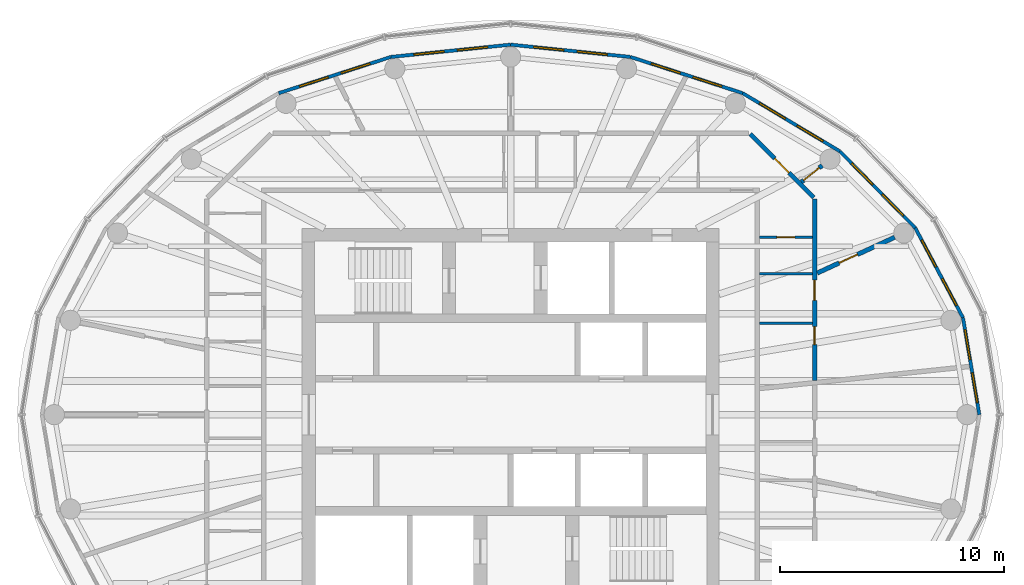
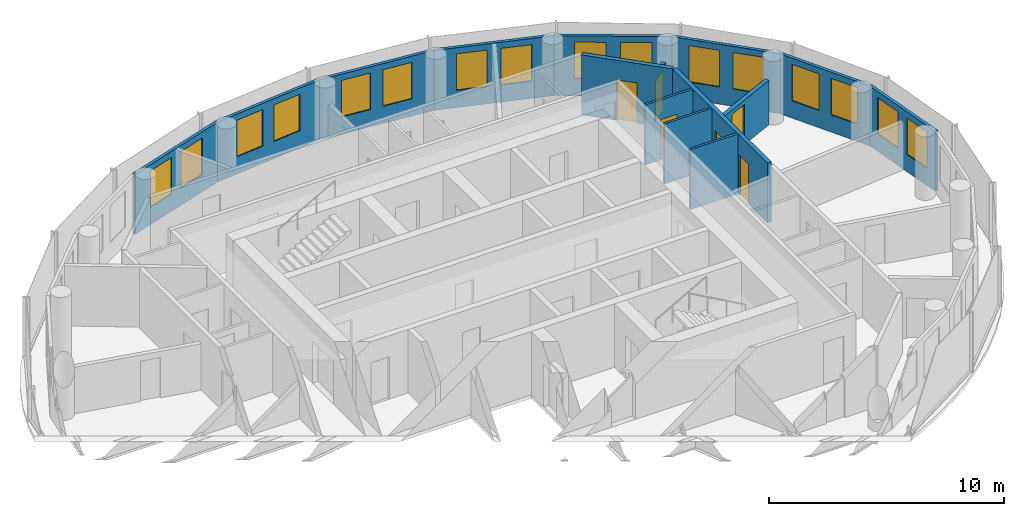
# One storey, part 9 of 11: 16 windows, 15 walls, 6 doors, 22 openings.
"""IFC4 building model written with IfcOpenShell, lengths in metres."""

from ifc_helpers import new_model, si_unit, direction, frame, frame_2d, origin, place, context, subcontext, project, spatial, rectangle, extrude, material, layer, layer_set, type_object, element, fill, save


model = new_model("IFC4")

# Units and contexts
model_context = context("Model", 3, precision=1e-05, world=origin(), true_north=direction((0.0, 1.0)))
body_context = subcontext(model_context, "Body", "Model", "MODEL_VIEW")
ifc_project = project(units=[si_unit("LENGTHUNIT", "METRE"), si_unit("AREAUNIT", "SQUARE_METRE"), si_unit("VOLUMEUNIT", "CUBIC_METRE"), si_unit("PLANEANGLEUNIT", "RADIAN"), si_unit("MASSUNIT", "GRAM", prefix="KILO")], contexts=[model_context])

# Site, building, storey
site_placement = place(None, origin())
site = spatial("IfcSite", under=ifc_project, at=site_placement, CompositionType="ELEMENT")
building_placement = place(site_placement, origin())
building = spatial("IfcBuilding", under=site, at=building_placement, Name="Hankou Lantern Tower", CompositionType="ELEMENT")
storey_placement = place(building_placement, frame((0.0, 0.0, 209.39990234375)))
storey = spatial("IfcBuildingStorey", under=building, at=storey_placement, Name="L56", CompositionType="ELEMENT", Elevation=209.39990234375)

# Wall, openings, windows
ifc_material_1 = material(Name="Aluminium spandrel panel on steel studs", Category="steel")
ifc_layer_1 = layer(ifc_material_1, 0.14990234375)
ifc_layer_set_1 = layer_set([ifc_layer_1], Name="Aluminium spandrel panel on steel studs")
wall_type_1 = type_object("IfcWallType", Name="EW1 INNER SKIN WALL 150", PredefinedType="ELEMENTEDWALL", material=ifc_layer_set_1)
wall_1_placement = place(storey_placement, frame((20.89990234375, 0.0, 0.0), z_axis=(0.0, 0.0, 1.0), x_axis=(-0.166538513568, 0.986034950445, 0.0)))
wall_1 = element("IfcWall", 1, at=wall_1_placement, inside=storey, type_object=wall_type_1, Name="Inner skin R01-R02 L56", PredefinedType="ELEMENTEDWALL", context=body_context, shape_type="SweptSolid", body=[
    extrude(rectangle(XDim=4.384765625, YDim=0.14990234375, at=frame_2d((2.1923828125, 0.0))), origin(), (0.0, 0.0, 1.0), 3.1201171875),
])
opening_1_placement = place(wall_1_placement, frame((0.54248046875, 0.0, 0.89990234375)))
opening_1 = element("IfcOpeningElement", 2, at=opening_1_placement, cuts=wall_1, Name="Opening W4", PredefinedType="OPENING", context=body_context, shape_type="SweptSolid", body=[
    extrude(rectangle(XDim=1.35009765625, YDim=1.89990234375, at=frame_2d((0.675048828125, 0.949951171875))), frame((0.0, 0.0849609375, 0.0), z_axis=(0.0, -1.0, 0.0), x_axis=(1.0, 0.0, 0.0)), (0.0, 0.0, 1.0), 0.169921875),
])
opening_2_placement = place(wall_1_placement, frame((2.492431640625, 0.0, 0.89990234375)))
opening_2 = element("IfcOpeningElement", 3, at=opening_2_placement, cuts=wall_1, Name="Opening W4", PredefinedType="OPENING", context=body_context, shape_type="SweptSolid", body=[
    extrude(rectangle(XDim=1.35009765625, YDim=1.89990234375, at=frame_2d((0.675048828125, 0.949951171875))), frame((0.0, 0.0849609375, 0.0), z_axis=(0.0, -1.0, 0.0), x_axis=(1.0, 0.0, 0.0)), (0.0, 0.0, 1.0), 0.169921875),
])
ifc_material_2 = material(Name="Aluminium framed double glazed window", Category="aluminium")
window_type = type_object("IfcWindowType", Name="W4 SUITE WINDOW 1350X1900", PartitioningType="DOUBLE_PANEL_VERTICAL", PredefinedType="WINDOW", material=ifc_material_2)
window_1_placement = place(opening_1_placement, origin())
window_1 = element("IfcWindow", 4, at=window_1_placement, inside=storey, type_object=window_type, Name="Window R01.1 L56", OverallHeight=1.89990234375, OverallWidth=1.35009765625, PartitioningType="SINGLE_PANEL", PredefinedType="WINDOW", context=body_context, shape_type="SweptSolid", body=[
    extrude(rectangle(XDim=1.35009765625, YDim=1.89990234375, at=frame_2d((0.675048828125, 0.949951171875))), frame((0.0, 0.030029296875, 0.0), z_axis=(0.0, -1.0, 0.0), x_axis=(1.0, 0.0, 0.0)), (0.0, 0.0, 1.0), 0.06005859375),
])
fill(opening_1, window_1)
window_2_placement = place(opening_2_placement, origin())
window_2 = element("IfcWindow", 5, at=window_2_placement, inside=storey, type_object=window_type, Name="Window R01.2 L56", OverallHeight=1.89990234375, OverallWidth=1.35009765625, PartitioningType="SINGLE_PANEL", PredefinedType="WINDOW", context=body_context, shape_type="SweptSolid", body=[
    extrude(rectangle(XDim=1.35009765625, YDim=1.89990234375, at=frame_2d((0.675048828125, 0.949951171875))), frame((0.0, 0.030029296875, 0.0), z_axis=(0.0, -1.0, 0.0), x_axis=(1.0, 0.0, 0.0)), (0.0, 0.0, 1.0), 0.06005859375),
])
fill(opening_2, window_2)

wall_2_placement = place(storey_placement, frame((20.169677734375, 4.323486328125, 0.0), z_axis=(0.0, 0.0, 1.0), x_axis=(-0.469256152955, 0.883062094597, 0.0)))
wall_2 = element("IfcWall", 6, at=wall_2_placement, inside=storey, type_object=wall_type_1, Name="Inner skin R02-R03 L56", PredefinedType="ELEMENTEDWALL", context=body_context, shape_type="SweptSolid", body=[
    extrude(rectangle(XDim=4.539306640625, YDim=0.14990234375, at=frame_2d((2.26953125, 0.0))), origin(), (0.0, 0.0, 1.0), 3.1201171875),
])
opening_3_placement = place(wall_2_placement, frame((0.61962890625, 0.0, 0.89990234375)))
opening_3 = element("IfcOpeningElement", 7, at=opening_3_placement, cuts=wall_2, Name="Opening W4", PredefinedType="OPENING", context=body_context, shape_type="SweptSolid", body=[
    extrude(rectangle(XDim=1.35009765625, YDim=1.89990234375, at=frame_2d((0.675048828125, 0.949951171875))), frame((0.0, 0.0849609375, 0.0), z_axis=(0.0, -1.0, 0.0), x_axis=(1.0, 0.0, 0.0)), (0.0, 0.0, 1.0), 0.169921875),
])
opening_4_placement = place(wall_2_placement, frame((2.569580078125, 0.0, 0.89990234375)))
opening_4 = element("IfcOpeningElement", 8, at=opening_4_placement, cuts=wall_2, Name="Opening W4", PredefinedType="OPENING", context=body_context, shape_type="SweptSolid", body=[
    extrude(rectangle(XDim=1.35009765625, YDim=1.89990234375, at=frame_2d((0.675048828125, 0.949951171875))), frame((0.0, 0.0849609375, 0.0), z_axis=(0.0, -1.0, 0.0), x_axis=(1.0, 0.0, 0.0)), (0.0, 0.0, 1.0), 0.169921875),
])
window_3_placement = place(opening_3_placement, origin())
window_3 = element("IfcWindow", 9, at=window_3_placement, inside=storey, type_object=window_type, Name="Window R02.1 L56", OverallHeight=1.89990234375, OverallWidth=1.35009765625, PartitioningType="SINGLE_PANEL", PredefinedType="WINDOW", context=body_context, shape_type="SweptSolid", body=[
    extrude(rectangle(XDim=1.35009765625, YDim=1.89990234375, at=frame_2d((0.675048828125, 0.949951171875))), frame((0.0, 0.030029296875, 0.0), z_axis=(0.0, -1.0, 0.0), x_axis=(1.0, 0.0, 0.0)), (0.0, 0.0, 1.0), 0.06005859375),
])
fill(opening_3, window_3)
window_4_placement = place(opening_4_placement, origin())
window_4 = element("IfcWindow", 10, at=window_4_placement, inside=storey, type_object=window_type, Name="Window R02.2 L56", OverallHeight=1.89990234375, OverallWidth=1.35009765625, PartitioningType="SINGLE_PANEL", PredefinedType="WINDOW", context=body_context, shape_type="SweptSolid", body=[
    extrude(rectangle(XDim=1.35009765625, YDim=1.89990234375, at=frame_2d((0.675048828125, 0.949951171875))), frame((0.0, 0.030029296875, 0.0), z_axis=(0.0, -1.0, 0.0), x_axis=(1.0, 0.0, 0.0)), (0.0, 0.0, 1.0), 0.06005859375),
])
fill(opening_4, window_4)

wall_3_placement = place(storey_placement, frame((18.03955078125, 8.33203125, 0.0), z_axis=(0.0, 0.0, 1.0), x_axis=(-0.701527379618, 0.712642501993, 0.0)))
wall_3 = element("IfcWall", 11, at=wall_3_placement, inside=storey, type_object=wall_type_1, Name="Inner skin R03-R04 L56", PredefinedType="ELEMENTEDWALL", context=body_context, shape_type="SweptSolid", body=[
    extrude(rectangle(XDim=4.788330078125, YDim=0.14990234375, at=frame_2d((2.39404296875, 0.0))), origin(), (0.0, 0.0, 1.0), 3.1201171875),
])
opening_5_placement = place(wall_3_placement, frame((0.744140625, 0.0, 0.89990234375)))
opening_5 = element("IfcOpeningElement", 12, at=opening_5_placement, cuts=wall_3, Name="Opening W4", PredefinedType="OPENING", context=body_context, shape_type="SweptSolid", body=[
    extrude(rectangle(XDim=1.35009765625, YDim=1.89990234375, at=frame_2d((0.675048828125, 0.949951171875))), frame((0.0, 0.0849609375, 0.0), z_axis=(0.0, -1.0, 0.0), x_axis=(1.0, 0.0, 0.0)), (0.0, 0.0, 1.0), 0.169921875),
])
opening_6_placement = place(wall_3_placement, frame((2.694091796875, 0.0, 0.89990234375)))
opening_6 = element("IfcOpeningElement", 13, at=opening_6_placement, cuts=wall_3, Name="Opening W4", PredefinedType="OPENING", context=body_context, shape_type="SweptSolid", body=[
    extrude(rectangle(XDim=1.35009765625, YDim=1.89990234375, at=frame_2d((0.675048828125, 0.949951171875))), frame((0.0, 0.0849609375, 0.0), z_axis=(0.0, -1.0, 0.0), x_axis=(1.0, 0.0, 0.0)), (0.0, 0.0, 1.0), 0.169921875),
])
window_5_placement = place(opening_5_placement, origin())
window_5 = element("IfcWindow", 14, at=window_5_placement, inside=storey, type_object=window_type, Name="Window R03.1 L56", OverallHeight=1.89990234375, OverallWidth=1.35009765625, PartitioningType="SINGLE_PANEL", PredefinedType="WINDOW", context=body_context, shape_type="SweptSolid", body=[
    extrude(rectangle(XDim=1.35009765625, YDim=1.89990234375, at=frame_2d((0.675048828125, 0.949951171875))), frame((0.0, 0.030029296875, 0.0), z_axis=(0.0, -1.0, 0.0), x_axis=(1.0, 0.0, 0.0)), (0.0, 0.0, 1.0), 0.06005859375),
])
fill(opening_5, window_5)
window_6_placement = place(opening_6_placement, origin())
window_6 = element("IfcWindow", 15, at=window_6_placement, inside=storey, type_object=window_type, Name="Window R03.2 L56", OverallHeight=1.89990234375, OverallWidth=1.35009765625, PartitioningType="SINGLE_PANEL", PredefinedType="WINDOW", context=body_context, shape_type="SweptSolid", body=[
    extrude(rectangle(XDim=1.35009765625, YDim=1.89990234375, at=frame_2d((0.675048828125, 0.949951171875))), frame((0.0, 0.030029296875, 0.0), z_axis=(0.0, -1.0, 0.0), x_axis=(1.0, 0.0, 0.0)), (0.0, 0.0, 1.0), 0.06005859375),
])
fill(opening_6, window_6)

wall_4_placement = place(storey_placement, frame((14.680419921875, 11.744384765625, 0.0), z_axis=(0.0, 0.0, 1.0), x_axis=(-0.85822150553, 0.513279502265, 0.0)))
wall_4 = element("IfcWall", 16, at=wall_4_placement, inside=storey, type_object=wall_type_1, Name="Inner skin R04-R05 L56", PredefinedType="ELEMENTEDWALL", context=body_context, shape_type="SweptSolid", body=[
    extrude(rectangle(XDim=5.050048828125, YDim=0.14990234375, at=frame_2d((2.52490234375, 0.0))), origin(), (0.0, 0.0, 1.0), 3.1201171875),
])
opening_7_placement = place(wall_4_placement, frame((0.875, 0.0, 0.89990234375)))
opening_7 = element("IfcOpeningElement", 17, at=opening_7_placement, cuts=wall_4, Name="Opening W4", PredefinedType="OPENING", context=body_context, shape_type="SweptSolid", body=[
    extrude(rectangle(XDim=1.35009765625, YDim=1.89990234375, at=frame_2d((0.675048828125, 0.949951171875))), frame((0.0, 0.0849609375, 0.0), z_axis=(0.0, -1.0, 0.0), x_axis=(1.0, 0.0, 0.0)), (0.0, 0.0, 1.0), 0.169921875),
])
opening_8_placement = place(wall_4_placement, frame((2.824951171875, 0.0, 0.89990234375)))
opening_8 = element("IfcOpeningElement", 18, at=opening_8_placement, cuts=wall_4, Name="Opening W4", PredefinedType="OPENING", context=body_context, shape_type="SweptSolid", body=[
    extrude(rectangle(XDim=1.35009765625, YDim=1.89990234375, at=frame_2d((0.675048828125, 0.949951171875))), frame((0.0, 0.0849609375, 0.0), z_axis=(0.0, -1.0, 0.0), x_axis=(1.0, 0.0, 0.0)), (0.0, 0.0, 1.0), 0.169921875),
])
window_7_placement = place(opening_7_placement, origin())
window_7 = element("IfcWindow", 19, at=window_7_placement, inside=storey, type_object=window_type, Name="Window R04.1 L56", OverallHeight=1.89990234375, OverallWidth=1.35009765625, PartitioningType="SINGLE_PANEL", PredefinedType="WINDOW", context=body_context, shape_type="SweptSolid", body=[
    extrude(rectangle(XDim=1.35009765625, YDim=1.89990234375, at=frame_2d((0.675048828125, 0.949951171875))), frame((0.0, 0.030029296875, 0.0), z_axis=(0.0, -1.0, 0.0), x_axis=(1.0, 0.0, 0.0)), (0.0, 0.0, 1.0), 0.06005859375),
])
fill(opening_7, window_7)
window_8_placement = place(opening_8_placement, origin())
window_8 = element("IfcWindow", 20, at=window_8_placement, inside=storey, type_object=window_type, Name="Window R04.2 L56", OverallHeight=1.89990234375, OverallWidth=1.35009765625, PartitioningType="SINGLE_PANEL", PredefinedType="WINDOW", context=body_context, shape_type="SweptSolid", body=[
    extrude(rectangle(XDim=1.35009765625, YDim=1.89990234375, at=frame_2d((0.675048828125, 0.949951171875))), frame((0.0, 0.030029296875, 0.0), z_axis=(0.0, -1.0, 0.0), x_axis=(1.0, 0.0, 0.0)), (0.0, 0.0, 1.0), 0.06005859375),
])
fill(opening_8, window_8)

wall_5_placement = place(storey_placement, frame((10.346435546875, 14.33642578125, 0.0), z_axis=(0.0, 0.0, 1.0), x_axis=(-0.951644702515, 0.307200846638, 0.0)))
wall_5 = element("IfcWall", 21, at=wall_5_placement, inside=storey, type_object=wall_type_1, Name="Inner skin R05-R06 L56", PredefinedType="ELEMENTEDWALL", context=body_context, shape_type="SweptSolid", body=[
    extrude(rectangle(XDim=5.2578125, YDim=0.14990234375, at=frame_2d((2.62890625, 0.0))), origin(), (0.0, 0.0, 1.0), 3.1201171875),
])
opening_9_placement = place(wall_5_placement, frame((0.97900390625, 0.0, 0.89990234375)))
opening_9 = element("IfcOpeningElement", 22, at=opening_9_placement, cuts=wall_5, Name="Opening W4", PredefinedType="OPENING", context=body_context, shape_type="SweptSolid", body=[
    extrude(rectangle(XDim=1.35009765625, YDim=1.89990234375, at=frame_2d((0.675048828125, 0.949951171875))), frame((0.0, 0.0849609375, 0.0), z_axis=(0.0, -1.0, 0.0), x_axis=(1.0, 0.0, 0.0)), (0.0, 0.0, 1.0), 0.169921875),
])
opening_10_placement = place(wall_5_placement, frame((2.928955078125, 0.0, 0.89990234375)))
opening_10 = element("IfcOpeningElement", 23, at=opening_10_placement, cuts=wall_5, Name="Opening W4", PredefinedType="OPENING", context=body_context, shape_type="SweptSolid", body=[
    extrude(rectangle(XDim=1.35009765625, YDim=1.89990234375, at=frame_2d((0.675048828125, 0.949951171875))), frame((0.0, 0.0849609375, 0.0), z_axis=(0.0, -1.0, 0.0), x_axis=(1.0, 0.0, 0.0)), (0.0, 0.0, 1.0), 0.169921875),
])
window_9_placement = place(opening_9_placement, origin())
window_9 = element("IfcWindow", 24, at=window_9_placement, inside=storey, type_object=window_type, Name="Window R05.1 L56", OverallHeight=1.89990234375, OverallWidth=1.35009765625, PartitioningType="SINGLE_PANEL", PredefinedType="WINDOW", context=body_context, shape_type="SweptSolid", body=[
    extrude(rectangle(XDim=1.35009765625, YDim=1.89990234375, at=frame_2d((0.675048828125, 0.949951171875))), frame((0.0, 0.030029296875, 0.0), z_axis=(0.0, -1.0, 0.0), x_axis=(1.0, 0.0, 0.0)), (0.0, 0.0, 1.0), 0.06005859375),
])
fill(opening_9, window_9)
window_10_placement = place(opening_10_placement, origin())
window_10 = element("IfcWindow", 25, at=window_10_placement, inside=storey, type_object=window_type, Name="Window R05.2 L56", OverallHeight=1.89990234375, OverallWidth=1.35009765625, PartitioningType="SINGLE_PANEL", PredefinedType="WINDOW", context=body_context, shape_type="SweptSolid", body=[
    extrude(rectangle(XDim=1.35009765625, YDim=1.89990234375, at=frame_2d((0.675048828125, 0.949951171875))), frame((0.0, 0.030029296875, 0.0), z_axis=(0.0, -1.0, 0.0), x_axis=(1.0, 0.0, 0.0)), (0.0, 0.0, 1.0), 0.06005859375),
])
fill(opening_10, window_10)

wall_6_placement = place(storey_placement, frame((5.3427734375, 15.95166015625, 0.0), z_axis=(0.0, 0.0, 1.0), x_axis=(-0.994774574972, 0.102095763818, 0.0)))
wall_6 = element("IfcWall", 26, at=wall_6_placement, inside=storey, type_object=wall_type_1, Name="Inner skin R06-R07 L56", PredefinedType="ELEMENTEDWALL", context=body_context, shape_type="SweptSolid", body=[
    extrude(rectangle(XDim=5.370849609375, YDim=0.14990234375, at=frame_2d((2.685546875, 0.0))), origin(), (0.0, 0.0, 1.0), 3.1201171875),
])
opening_11_placement = place(wall_6_placement, frame((1.035400390625, 0.0, 0.89990234375)))
opening_11 = element("IfcOpeningElement", 27, at=opening_11_placement, cuts=wall_6, Name="Opening W4", PredefinedType="OPENING", context=body_context, shape_type="SweptSolid", body=[
    extrude(rectangle(XDim=1.35009765625, YDim=1.89990234375, at=frame_2d((0.675048828125, 0.949951171875))), frame((0.0, 0.0849609375, 0.0), z_axis=(0.0, -1.0, 0.0), x_axis=(1.0, 0.0, 0.0)), (0.0, 0.0, 1.0), 0.169921875),
])
opening_12_placement = place(wall_6_placement, frame((2.9853515625, 0.0, 0.89990234375)))
opening_12 = element("IfcOpeningElement", 28, at=opening_12_placement, cuts=wall_6, Name="Opening W4", PredefinedType="OPENING", context=body_context, shape_type="SweptSolid", body=[
    extrude(rectangle(XDim=1.35009765625, YDim=1.89990234375, at=frame_2d((0.675048828125, 0.949951171875))), frame((0.0, 0.0849609375, 0.0), z_axis=(0.0, -1.0, 0.0), x_axis=(1.0, 0.0, 0.0)), (0.0, 0.0, 1.0), 0.169921875),
])
window_11_placement = place(opening_11_placement, origin())
window_11 = element("IfcWindow", 29, at=window_11_placement, inside=storey, type_object=window_type, Name="Window R06.1 L56", OverallHeight=1.89990234375, OverallWidth=1.35009765625, PartitioningType="SINGLE_PANEL", PredefinedType="WINDOW", context=body_context, shape_type="SweptSolid", body=[
    extrude(rectangle(XDim=1.35009765625, YDim=1.89990234375, at=frame_2d((0.675048828125, 0.949951171875))), frame((0.0, 0.030029296875, 0.0), z_axis=(0.0, -1.0, 0.0), x_axis=(1.0, 0.0, 0.0)), (0.0, 0.0, 1.0), 0.06005859375),
])
fill(opening_11, window_11)
window_12_placement = place(opening_12_placement, origin())
window_12 = element("IfcWindow", 30, at=window_12_placement, inside=storey, type_object=window_type, Name="Window R06.2 L56", OverallHeight=1.89990234375, OverallWidth=1.35009765625, PartitioningType="SINGLE_PANEL", PredefinedType="WINDOW", context=body_context, shape_type="SweptSolid", body=[
    extrude(rectangle(XDim=1.35009765625, YDim=1.89990234375, at=frame_2d((0.675048828125, 0.949951171875))), frame((0.0, 0.030029296875, 0.0), z_axis=(0.0, -1.0, 0.0), x_axis=(1.0, 0.0, 0.0)), (0.0, 0.0, 1.0), 0.06005859375),
])
fill(opening_12, window_12)

wall_7_placement = place(storey_placement, frame((0.0, 16.5, 0.0), z_axis=(0.0, 0.0, 1.0), x_axis=(-0.994774574972, -0.102095763818, 0.0)))
wall_7 = element("IfcWall", 31, at=wall_7_placement, inside=storey, type_object=wall_type_1, Name="Inner skin R07-R08 L56", PredefinedType="ELEMENTEDWALL", context=body_context, shape_type="SweptSolid", body=[
    extrude(rectangle(XDim=5.370849609375, YDim=0.14990234375, at=frame_2d((2.685546875, 0.0))), origin(), (0.0, 0.0, 1.0), 3.1201171875),
])
opening_13_placement = place(wall_7_placement, frame((1.035400390625, 0.0, 0.89990234375)))
opening_13 = element("IfcOpeningElement", 32, at=opening_13_placement, cuts=wall_7, Name="Opening W4", PredefinedType="OPENING", context=body_context, shape_type="SweptSolid", body=[
    extrude(rectangle(XDim=1.35009765625, YDim=1.89990234375, at=frame_2d((0.675048828125, 0.949951171875))), frame((0.0, 0.0849609375, 0.0), z_axis=(0.0, -1.0, 0.0), x_axis=(1.0, 0.0, 0.0)), (0.0, 0.0, 1.0), 0.169921875),
])
opening_14_placement = place(wall_7_placement, frame((2.9853515625, 0.0, 0.89990234375)))
opening_14 = element("IfcOpeningElement", 33, at=opening_14_placement, cuts=wall_7, Name="Opening W4", PredefinedType="OPENING", context=body_context, shape_type="SweptSolid", body=[
    extrude(rectangle(XDim=1.35009765625, YDim=1.89990234375, at=frame_2d((0.675048828125, 0.949951171875))), frame((0.0, 0.0849609375, 0.0), z_axis=(0.0, -1.0, 0.0), x_axis=(1.0, 0.0, 0.0)), (0.0, 0.0, 1.0), 0.169921875),
])
window_13_placement = place(opening_13_placement, origin())
window_13 = element("IfcWindow", 34, at=window_13_placement, inside=storey, type_object=window_type, Name="Window R07.1 L56", OverallHeight=1.89990234375, OverallWidth=1.35009765625, PartitioningType="SINGLE_PANEL", PredefinedType="WINDOW", context=body_context, shape_type="SweptSolid", body=[
    extrude(rectangle(XDim=1.35009765625, YDim=1.89990234375, at=frame_2d((0.675048828125, 0.949951171875))), frame((0.0, 0.030029296875, 0.0), z_axis=(0.0, -1.0, 0.0), x_axis=(1.0, 0.0, 0.0)), (0.0, 0.0, 1.0), 0.06005859375),
])
fill(opening_13, window_13)
window_14_placement = place(opening_14_placement, origin())
window_14 = element("IfcWindow", 35, at=window_14_placement, inside=storey, type_object=window_type, Name="Window R07.2 L56", OverallHeight=1.89990234375, OverallWidth=1.35009765625, PartitioningType="SINGLE_PANEL", PredefinedType="WINDOW", context=body_context, shape_type="SweptSolid", body=[
    extrude(rectangle(XDim=1.35009765625, YDim=1.89990234375, at=frame_2d((0.675048828125, 0.949951171875))), frame((0.0, 0.030029296875, 0.0), z_axis=(0.0, -1.0, 0.0), x_axis=(1.0, 0.0, 0.0)), (0.0, 0.0, 1.0), 0.06005859375),
])
fill(opening_14, window_14)

wall_8_placement = place(storey_placement, frame((-5.3427734375, 15.95166015625, 0.0), z_axis=(0.0, 0.0, 1.0), x_axis=(-0.951644702515, -0.307200846638, 0.0)))
wall_8 = element("IfcWall", 36, at=wall_8_placement, inside=storey, type_object=wall_type_1, Name="Inner skin R08-R09 L56", PredefinedType="ELEMENTEDWALL", context=body_context, shape_type="SweptSolid", body=[
    extrude(rectangle(XDim=5.2578125, YDim=0.14990234375, at=frame_2d((2.62890625, 0.0))), origin(), (0.0, 0.0, 1.0), 3.1201171875),
])
opening_15_placement = place(wall_8_placement, frame((0.97900390625, 0.0, 0.89990234375)))
opening_15 = element("IfcOpeningElement", 37, at=opening_15_placement, cuts=wall_8, Name="Opening W4", PredefinedType="OPENING", context=body_context, shape_type="SweptSolid", body=[
    extrude(rectangle(XDim=1.35009765625, YDim=1.89990234375, at=frame_2d((0.675048828125, 0.949951171875))), frame((0.0, 0.0849609375, 0.0), z_axis=(0.0, -1.0, 0.0), x_axis=(1.0, 0.0, 0.0)), (0.0, 0.0, 1.0), 0.169921875),
])
opening_16_placement = place(wall_8_placement, frame((2.928955078125, 0.0, 0.89990234375)))
opening_16 = element("IfcOpeningElement", 38, at=opening_16_placement, cuts=wall_8, Name="Opening W4", PredefinedType="OPENING", context=body_context, shape_type="SweptSolid", body=[
    extrude(rectangle(XDim=1.35009765625, YDim=1.89990234375, at=frame_2d((0.675048828125, 0.949951171875))), frame((0.0, 0.0849609375, 0.0), z_axis=(0.0, -1.0, 0.0), x_axis=(1.0, 0.0, 0.0)), (0.0, 0.0, 1.0), 0.169921875),
])
window_15_placement = place(opening_15_placement, origin())
window_15 = element("IfcWindow", 39, at=window_15_placement, inside=storey, type_object=window_type, Name="Window R08.1 L56", OverallHeight=1.89990234375, OverallWidth=1.35009765625, PartitioningType="SINGLE_PANEL", PredefinedType="WINDOW", context=body_context, shape_type="SweptSolid", body=[
    extrude(rectangle(XDim=1.35009765625, YDim=1.89990234375, at=frame_2d((0.675048828125, 0.949951171875))), frame((0.0, 0.030029296875, 0.0), z_axis=(0.0, -1.0, 0.0), x_axis=(1.0, 0.0, 0.0)), (0.0, 0.0, 1.0), 0.06005859375),
])
fill(opening_15, window_15)
window_16_placement = place(opening_16_placement, origin())
window_16 = element("IfcWindow", 40, at=window_16_placement, inside=storey, type_object=window_type, Name="Window R08.2 L56", OverallHeight=1.89990234375, OverallWidth=1.35009765625, PartitioningType="SINGLE_PANEL", PredefinedType="WINDOW", context=body_context, shape_type="SweptSolid", body=[
    extrude(rectangle(XDim=1.35009765625, YDim=1.89990234375, at=frame_2d((0.675048828125, 0.949951171875))), frame((0.0, 0.030029296875, 0.0), z_axis=(0.0, -1.0, 0.0), x_axis=(1.0, 0.0, 0.0)), (0.0, 0.0, 1.0), 0.06005859375),
])
fill(opening_16, window_16)

# Walls
ifc_material_3 = material(Name="Masonry lightweight concrete block", Category="masonry")
ifc_layer_2 = layer(ifc_material_3, 0.1201171875)
ifc_layer_set_2 = layer_set([ifc_layer_2], Name="Masonry lightweight concrete block")
wall_type_2 = type_object("IfcWallType", Name="IW3 BATHROOM WALL 120", PredefinedType="PARTITIONING", material=ifc_layer_set_2)
for number, where, z_axis, x_axis, name in (
    (41, (11.10009765625, 4.08154296875, 0.0), (0.0, 0.0, 1.0), (1.0, 0.0, 0.0), "Box wall 5601 1"),
    (42, (11.10009765625, 6.290283203125, 0.0), (0.0, 0.0, 1.0), (1.0, 0.0, 0.0), "Box wall 5601 2"),
):
    element("IfcWall", number, at=place(storey_placement, frame(where, z_axis=z_axis, x_axis=x_axis)), inside=storey, type_object=wall_type_2, Name=name, PredefinedType="PARTITIONING", context=body_context, shape_type="SweptSolid", body=[
        extrude(rectangle(XDim=2.349853515625, YDim=0.1201171875, at=frame_2d((1.1748046875, 0.0))), origin(), (0.0, 0.0, 1.0), 3.1201171875),
    ])

# Wall, opening, door
wall_9_placement = place(storey_placement, frame((11.10009765625, 7.91748046875, 0.0), z_axis=(0.0, 0.0, 1.0), x_axis=(1.0, 0.0, 0.0)))
wall_9 = element("IfcWall", 43, at=wall_9_placement, inside=storey, type_object=wall_type_2, Name="Box wall 5601 3", PredefinedType="PARTITIONING", context=body_context, shape_type="SweptSolid", body=[
    extrude(rectangle(XDim=2.349853515625, YDim=0.1201171875, at=frame_2d((1.1748046875, 0.0))), origin(), (0.0, 0.0, 1.0), 3.1201171875),
])
opening_17_placement = place(wall_9_placement, frame((0.77001953125, 0.0, 0.0)))
opening_17 = element("IfcOpeningElement", 44, at=opening_17_placement, cuts=wall_9, Name="Opening D3", PredefinedType="OPENING", context=body_context, shape_type="SweptSolid", body=[
    extrude(rectangle(XDim=0.800048828125, YDim=2.10009765625, at=frame_2d((0.39990234375, 1.050048828125))), frame((0.0, 0.070068359375, 0.0), z_axis=(0.0, -1.0, 0.0), x_axis=(1.0, 0.0, 0.0)), (0.0, 0.0, 1.0), 0.14013671875),
])
ifc_material_4 = material(Name="Timber door leaf", Category="wood")
door_type_1 = type_object("IfcDoorType", Name="D3 BATHROOM DOOR 800X2100", OperationType="SINGLE_SWING_LEFT", PredefinedType="DOOR", material=ifc_material_4)
door_1_placement = place(opening_17_placement, origin())
door_1 = element("IfcDoor", 45, at=door_1_placement, inside=storey, type_object=door_type_1, Name="Corner suite 5601 guest WC door", OperationType="SINGLE_SWING_LEFT", OverallHeight=2.10009765625, OverallWidth=0.800048828125, PredefinedType="DOOR", context=body_context, shape_type="SweptSolid", body=[
    extrude(rectangle(XDim=0.800048828125, YDim=2.10009765625, at=frame_2d((0.39990234375, 1.050048828125))), frame((0.0, 0.02490234375, 0.0), z_axis=(0.0, -1.0, 0.0), x_axis=(1.0, 0.0, 0.0)), (0.0, 0.0, 1.0), 0.050048828125),
])
fill(opening_17, door_1)

# Wall, openings, doors
ifc_material_5 = material(Name="Masonry lightweight concrete block", Category="masonry")
ifc_layer_3 = layer(ifc_material_5, 0.199951171875)
ifc_layer_set_3 = layer_set([ifc_layer_3], Name="Masonry lightweight concrete block")
wall_type_3 = type_object("IfcWallType", Name="IW6 SUITE PARTITION 200", PredefinedType="PARTITIONING", material=ifc_layer_set_3)
wall_10_placement = place(storey_placement, frame((13.550048828125, 1.52490234375, 0.0), z_axis=(0.0, 0.0, 1.0), x_axis=(0.0, 1.0, 0.0)))
wall_10 = element("IfcWall", 46, at=wall_10_placement, inside=storey, type_object=wall_type_3, Name="Suite foyer wall 5601", PredefinedType="PARTITIONING", context=body_context, shape_type="SweptSolid", body=[
    extrude(rectangle(XDim=8.083740234375, YDim=0.199951171875, at=frame_2d((4.0419921875, 0.0))), origin(), (0.0, 0.0, 1.0), 3.1201171875),
])
opening_18_placement = place(wall_10_placement, frame((1.5966796875, 0.0, 0.0)))
opening_18 = element("IfcOpeningElement", 47, at=opening_18_placement, cuts=wall_10, Name="Opening D3", PredefinedType="OPENING", context=body_context, shape_type="SweptSolid", body=[
    extrude(rectangle(XDim=0.800048828125, YDim=2.10009765625, at=frame_2d((0.39990234375, 1.050048828125))), frame((0.0, 0.10986328125, 0.0), z_axis=(0.0, -1.0, 0.0), x_axis=(1.0, 0.0, 0.0)), (0.0, 0.0, 1.0), 0.219970703125),
])
opening_19_placement = place(wall_10_placement, frame((3.570068359375, 0.0, 0.0)))
opening_19 = element("IfcOpeningElement", 48, at=opening_19_placement, cuts=wall_10, Name="Opening D27", PredefinedType="OPENING", context=body_context, shape_type="SweptSolid", body=[
    extrude(rectangle(XDim=0.89990234375, YDim=2.10009765625, at=frame_2d((0.449951171875, 1.050048828125))), frame((0.0, 0.10986328125, 0.0), z_axis=(0.0, -1.0, 0.0), x_axis=(1.0, 0.0, 0.0)), (0.0, 0.0, 1.0), 0.219970703125),
])
ifc_material_6 = material(Name="Timber door leaf", Category="wood")
door_type_2 = type_object("IfcDoorType", Name="D27 INTERNAL DOOR 900X2100", OperationType="SINGLE_SWING_LEFT", PredefinedType="DOOR", material=ifc_material_6)
door_2_placement = place(opening_19_placement, origin())
door_2 = element("IfcDoor", 49, at=door_2_placement, inside=storey, type_object=door_type_2, Name="Corner suite 5601 walk-in wardrobe door", OperationType="SINGLE_SWING_RIGHT", OverallHeight=2.10009765625, OverallWidth=0.89990234375, PredefinedType="DOOR", context=body_context, shape_type="SweptSolid", body=[
    extrude(rectangle(XDim=0.89990234375, YDim=2.10009765625, at=frame_2d((0.449951171875, 1.050048828125))), frame((0.0, 0.02490234375, 0.0), z_axis=(0.0, -1.0, 0.0), x_axis=(1.0, 0.0, 0.0)), (0.0, 0.0, 1.0), 0.050048828125),
])
fill(opening_19, door_2)
door_3_placement = place(opening_18_placement, origin())
door_3 = element("IfcDoor", 50, at=door_3_placement, inside=storey, type_object=door_type_1, Name="Corner suite 5601 bathroom door", OperationType="SINGLE_SWING_RIGHT", OverallHeight=2.10009765625, OverallWidth=0.800048828125, PredefinedType="DOOR", context=body_context, shape_type="SweptSolid", body=[
    extrude(rectangle(XDim=0.800048828125, YDim=2.10009765625, at=frame_2d((0.39990234375, 1.050048828125))), frame((0.0, 0.02490234375, 0.0), z_axis=(0.0, -1.0, 0.0), x_axis=(1.0, 0.0, 0.0)), (0.0, 0.0, 1.0), 0.050048828125),
])
fill(opening_18, door_3)

# Wall, opening, door
wall_11_placement = place(storey_placement, frame((13.520751953125, 9.67919921875, 0.0), z_axis=(0.0, 0.0, 1.0), x_axis=(-0.707106781187, 0.707106781187, 0.0)))
wall_11 = element("IfcWall", 51, at=wall_11_placement, inside=storey, type_object=wall_type_3, Name="Suite foyer wall 5601", PredefinedType="PARTITIONING", context=body_context, shape_type="SweptSolid", body=[
    extrude(rectangle(XDim=4.0185546875, YDim=0.199951171875, at=frame_2d((2.00927734375, 0.0))), origin(), (0.0, 0.0, 1.0), 3.1201171875),
])
opening_20_placement = place(wall_11_placement, frame((1.570068359375, 0.0, 0.0)))
opening_20 = element("IfcOpeningElement", 52, at=opening_20_placement, cuts=wall_11, Name="Opening D27", PredefinedType="OPENING", context=body_context, shape_type="SweptSolid", body=[
    extrude(rectangle(XDim=0.89990234375, YDim=2.10009765625, at=frame_2d((0.449951171875, 1.050048828125))), frame((0.0, 0.10986328125, 0.0), z_axis=(0.0, -1.0, 0.0), x_axis=(1.0, 0.0, 0.0)), (0.0, 0.0, 1.0), 0.219970703125),
])
door_4_placement = place(opening_20_placement, origin())
door_4 = element("IfcDoor", 53, at=door_4_placement, inside=storey, type_object=door_type_2, Name="Corner suite 5601 living room door", OperationType="SINGLE_SWING_RIGHT", OverallHeight=2.10009765625, OverallWidth=0.89990234375, PredefinedType="DOOR", context=body_context, shape_type="SweptSolid", body=[
    extrude(rectangle(XDim=0.89990234375, YDim=2.10009765625, at=frame_2d((0.449951171875, 1.050048828125))), frame((0.0, 0.02490234375, 0.0), z_axis=(0.0, -1.0, 0.0), x_axis=(1.0, 0.0, 0.0)), (0.0, 0.0, 1.0), 0.050048828125),
])
fill(opening_20, door_4)

wall_12_placement = place(storey_placement, frame((13.67724609375, 6.317138671875, 0.0), z_axis=(0.0, 0.0, 1.0), x_axis=(0.907825704695, 0.419347695708, 0.0)))
wall_12 = element("IfcWall", 54, at=wall_12_placement, inside=storey, type_object=wall_type_3, Name="Suite partition R03", PredefinedType="PARTITIONING", context=body_context, shape_type="SweptSolid", body=[
    extrude(rectangle(XDim=3.79638671875, YDim=0.199951171875, at=frame_2d((1.898193359375, 0.0))), origin(), (0.0, 0.0, 1.0), 2.320068359375),
])
opening_21_placement = place(wall_12_placement, frame((1.070068359375, 0.0, 0.0)))
opening_21 = element("IfcOpeningElement", 55, at=opening_21_placement, cuts=wall_12, Name="Opening D27", PredefinedType="OPENING", context=body_context, shape_type="SweptSolid", body=[
    extrude(rectangle(XDim=0.89990234375, YDim=2.10009765625, at=frame_2d((0.449951171875, 1.050048828125))), frame((0.0, 0.10986328125, 0.0), z_axis=(0.0, -1.0, 0.0), x_axis=(1.0, 0.0, 0.0)), (0.0, 0.0, 1.0), 0.219970703125),
])
door_5_placement = place(opening_21_placement, origin())
door_5 = element("IfcDoor", 56, at=door_5_placement, inside=storey, type_object=door_type_2, Name="Corner suite 5601 dining room door", OperationType="SINGLE_SWING_LEFT", OverallHeight=2.10009765625, OverallWidth=0.89990234375, PredefinedType="DOOR", context=body_context, shape_type="SweptSolid", body=[
    extrude(rectangle(XDim=0.89990234375, YDim=2.10009765625, at=frame_2d((0.449951171875, 1.050048828125))), frame((0.0, 0.02490234375, 0.0), z_axis=(0.0, -1.0, 0.0), x_axis=(1.0, 0.0, 0.0)), (0.0, 0.0, 1.0), 0.050048828125),
])
fill(opening_21, door_5)

wall_13_placement = place(storey_placement, frame((12.967529296875, 10.3740234375, 0.0), z_axis=(0.0, 0.0, 1.0), x_axis=(0.780888968944, 0.624669847345, 0.0)))
wall_13 = element("IfcWall", 57, at=wall_13_placement, inside=storey, type_object=wall_type_3, Name="Suite partition R04", PredefinedType="PARTITIONING", context=body_context, shape_type="SweptSolid", body=[
    extrude(rectangle(XDim=1.181396484375, YDim=0.199951171875, at=frame_2d((0.5908203125, 0.0))), origin(), (0.0, 0.0, 1.0), 2.420166015625),
])
opening_22_placement = place(wall_13_placement, frame((0.1201171875, 0.0, 0.0)))
opening_22 = element("IfcOpeningElement", 58, at=opening_22_placement, cuts=wall_13, Name="Opening D27", PredefinedType="OPENING", context=body_context, shape_type="SweptSolid", body=[
    extrude(rectangle(XDim=0.89990234375, YDim=2.10009765625, at=frame_2d((0.449951171875, 1.050048828125))), frame((0.0, 0.10986328125, 0.0), z_axis=(0.0, -1.0, 0.0), x_axis=(1.0, 0.0, 0.0)), (0.0, 0.0, 1.0), 0.219970703125),
])
door_6_placement = place(opening_22_placement, origin())
door_6 = element("IfcDoor", 59, at=door_6_placement, inside=storey, type_object=door_type_2, Name="Corner suite 5601 dining room door", OperationType="SINGLE_SWING_LEFT", OverallHeight=2.10009765625, OverallWidth=0.89990234375, PredefinedType="DOOR", context=body_context, shape_type="SweptSolid", body=[
    extrude(rectangle(XDim=0.89990234375, YDim=2.10009765625, at=frame_2d((0.449951171875, 1.050048828125))), frame((0.0, 0.02490234375, 0.0), z_axis=(0.0, -1.0, 0.0), x_axis=(1.0, 0.0, 0.0)), (0.0, 0.0, 1.0), 0.050048828125),
])
fill(opening_22, door_6)

save(model, "model.ifc")
